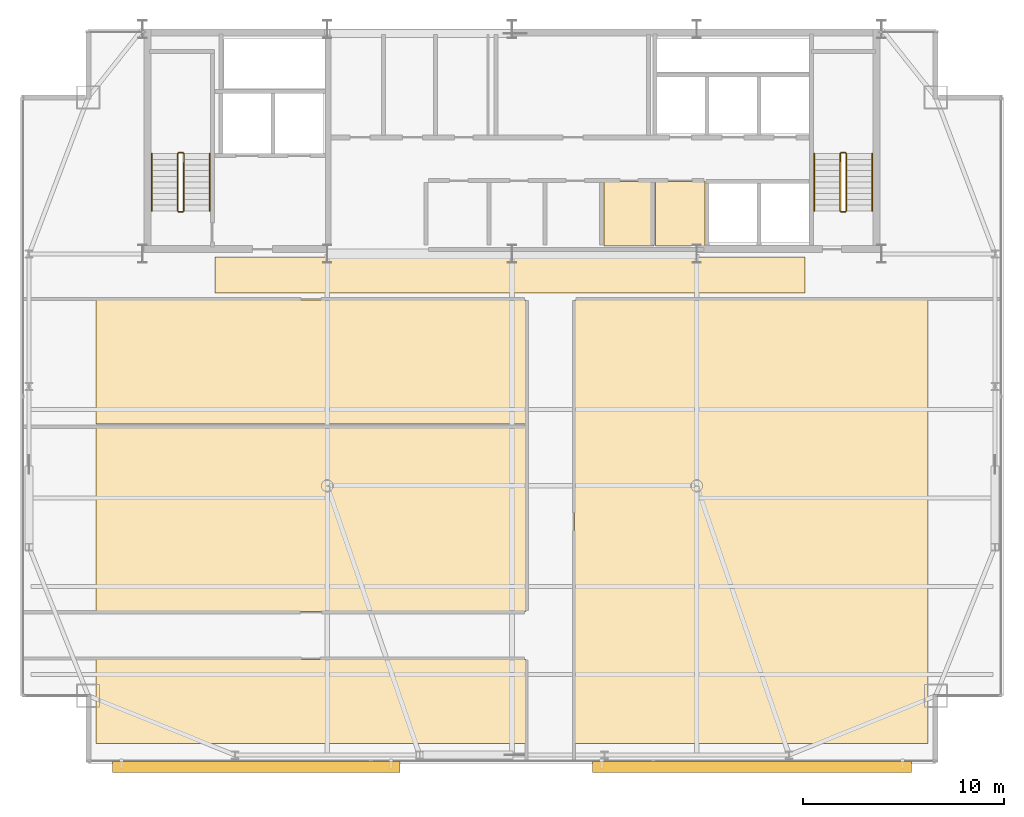
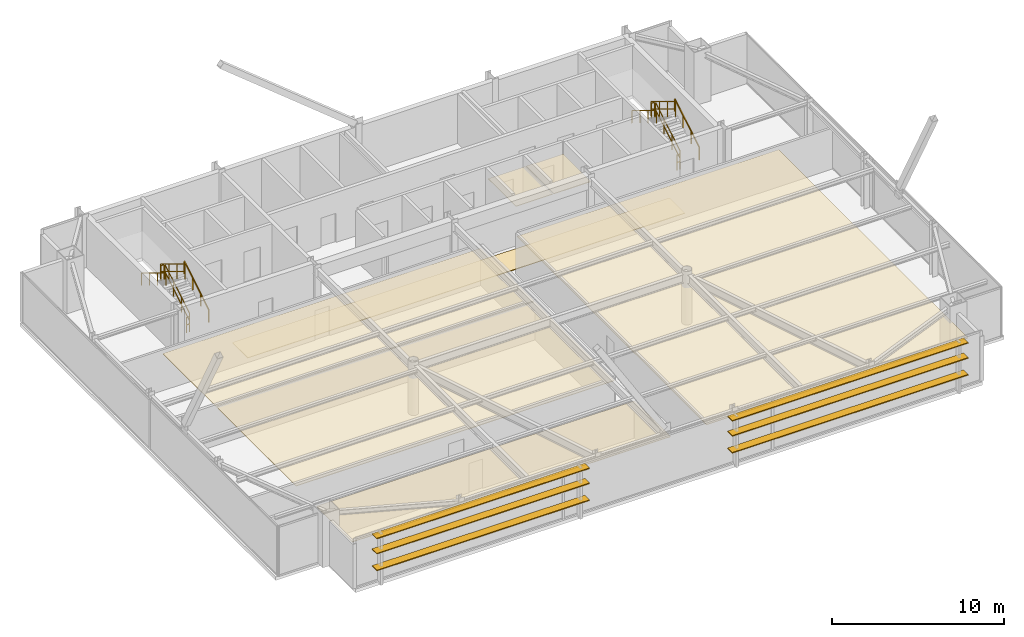
# One storey, part 27 of 27: 12 railings, 7 coverings, 6 shading devices.
"""IFC4 building model written with IfcOpenShell, lengths in metres."""

from ifc_helpers import new_model, si_unit, direction, frame, origin, origin_2d, place, context, subcontext, project, spatial, polyline, rectangle, outline, extrude, source, transform, mapped, material, layer, layer_set, type_object, type_shapes, element, save


model = new_model("IFC4")

# Units and contexts
model_context = context("Model", 3, precision=1e-05, world=origin(), true_north=direction((0.0, 1.0)))
body_context = subcontext(model_context, "Body", "Model", "MODEL_VIEW")
ifc_project = project(units=[si_unit("LENGTHUNIT", "METRE"), si_unit("AREAUNIT", "SQUARE_METRE"), si_unit("VOLUMEUNIT", "CUBIC_METRE"), si_unit("PLANEANGLEUNIT", "RADIAN"), si_unit("MASSUNIT", "GRAM", prefix="KILO")], contexts=[model_context])

# Site, building, storey
site_placement = place(None, origin())
site = spatial("IfcSite", under=ifc_project, at=site_placement, CompositionType="ELEMENT")
building_placement = place(site_placement, origin())
building = spatial("IfcBuilding", under=site, at=building_placement, Name="Varnel Quay Broadcast Tower", CompositionType="ELEMENT")
storey_placement = place(building_placement, frame((0.0, 0.0, 243.199951171875)))
storey = spatial("IfcBuildingStorey", under=building, at=storey_placement, Name="L60", CompositionType="ELEMENT", Elevation=243.199951171875)

# Coverings
ifc_material_1 = material(Name="Micro-Perforated Acoustic Ceiling Tile")
ifc_layer_1 = layer(ifc_material_1, 0.0400390625, Name="Micro-Perforated Acoustic Ceiling Tile")
ifc_layer_set_1 = layer_set([ifc_layer_1], Name="Micro-Perforated Acoustic Ceiling Tile")
covering_type_1 = type_object("IfcCoveringType", Name="Cov_AcousticCeiling", PredefinedType="CEILING", material=ifc_layer_set_1)
covering_1_placement = place(storey_placement, frame((0.0, 0.0, 2.580078125)))
element("IfcCovering", 1, at=covering_1_placement, inside=storey, type_object=covering_type_1, Name="L60 Cleaners' & Linen Store Acoustic Ceiling", PredefinedType="CEILING", context=body_context, shape_type="SweptSolid", body=[
    extrude(outline(polyline([(38.5849609375, 35.985107421875), (41.06494140625, 35.985107421875), (41.06494140625, 39.215087890625), (38.5849609375, 39.215087890625), (38.5849609375, 35.985107421875)])), origin(), (0.0, 0.0, 1.0), 0.0400390625),
])
covering_2_placement = place(storey_placement, frame((0.0, 0.0, 2.580078125)))
element("IfcCovering", 2, at=covering_2_placement, inside=storey, type_object=covering_type_1, Name="L60 Telecom IDF Closet Acoustic Ceiling", PredefinedType="CEILING", context=body_context, shape_type="SweptSolid", body=[
    extrude(outline(polyline([(41.135009765625, 35.985107421875), (43.614990234375, 35.985107421875), (43.614990234375, 39.215087890625), (41.135009765625, 39.215087890625), (41.135009765625, 35.985107421875)])), origin(), (0.0, 0.0, 1.0), 0.0400390625),
])
covering_3_placement = place(storey_placement, frame((0.0, 0.0, 2.580078125)))
element("IfcCovering", 3, at=covering_3_placement, inside=storey, type_object=covering_type_1, Name="L60 Color Timing Suite 1 Acoustic Ceiling", PredefinedType="CEILING", context=body_context, shape_type="SweptSolid", body=[
    extrude(outline(polyline([(13.284912109375, 11.22509765625), (34.695068359375, 11.22509765625), (34.695068359375, 15.4150390625), (13.284912109375, 15.4150390625), (13.284912109375, 11.22509765625)])), origin(), (0.0, 0.0, 1.0), 0.0400390625),
])
covering_4_placement = place(storey_placement, frame((0.0, 0.0, 2.580078125)))
element("IfcCovering", 4, at=covering_4_placement, inside=storey, type_object=covering_type_1, Name="L60 Screening Meeting Room 2 Acoustic Ceiling", PredefinedType="CEILING", context=body_context, shape_type="SweptSolid", body=[
    extrude(outline(polyline([(13.284912109375, 17.784912109375), (34.695068359375, 17.784912109375), (34.695068359375, 27.054931640625), (13.284912109375, 27.054931640625), (13.284912109375, 17.784912109375)])), origin(), (0.0, 0.0, 1.0), 0.0400390625),
])
covering_5_placement = place(storey_placement, frame((0.0, 0.0, 2.580078125)))
element("IfcCovering", 5, at=covering_5_placement, inside=storey, type_object=covering_type_1, Name="L60 Producer Lounge 3 Acoustic Ceiling", PredefinedType="CEILING", context=body_context, shape_type="SweptSolid", body=[
    extrude(outline(polyline([(13.284912109375, 27.125), (34.695068359375, 27.125), (34.695068359375, 33.31494140625), (13.284912109375, 33.31494140625), (13.284912109375, 27.125)])), origin(), (0.0, 0.0, 1.0), 0.0400390625),
])
covering_6_placement = place(storey_placement, frame((0.0, 0.0, 2.580078125)))
element("IfcCovering", 6, at=covering_6_placement, inside=storey, type_object=covering_type_1, Name="L60 Tea Kitchen 4 Acoustic Ceiling", PredefinedType="CEILING", context=body_context, shape_type="SweptSolid", body=[
    extrude(outline(polyline([(37.114990234375, 11.22509765625), (54.715087890625, 11.22509765625), (54.715087890625, 33.31494140625), (37.114990234375, 33.31494140625), (37.114990234375, 11.22509765625)])), origin(), (0.0, 0.0, 1.0), 0.0400390625),
])
ifc_material_2 = material(Name="Polished Terrazzo & Broadcast Raised Flooring")
ifc_layer_2 = layer(ifc_material_2, 0.0400390625, Name="Polished Terrazzo & Broadcast Raised Flooring")
ifc_layer_set_2 = layer_set([ifc_layer_2], Name="Polished Terrazzo & Broadcast Raised Flooring")
covering_type_2 = type_object("IfcCoveringType", Name="Cov_TerrazzoFloor", PredefinedType="FLOORING", material=ifc_layer_set_2)
covering_7_placement = place(storey_placement, origin())
element("IfcCovering", 7, at=covering_7_placement, inside=storey, type_object=covering_type_2, Name="L60 Corridor Terrazzo Flooring", PredefinedType="FLOORING", context=body_context, shape_type="SweptSolid", body=[
    extrude(outline(polyline([(19.199951171875, 33.64990234375), (48.60009765625, 33.64990234375), (48.60009765625, 35.449951171875), (19.199951171875, 35.449951171875), (19.199951171875, 33.64990234375)])), origin(), (0.0, 0.0, 1.0), 0.0400390625),
])

# Railings
ifc_material_3 = material(Name="Painted Steel Guard and Handrail CSA G40.21 350W", Category="steel")
railing_type_1 = type_object("IfcRailingType", Name="Rail_StairGuard1100", PredefinedType="GUARDRAIL", material=ifc_material_3)
railing_1_placement = place(storey_placement, frame((17.64990234375, 37.75, 0.1728515625)))
element("IfcRailing", 8, at=railing_1_placement, inside=storey, type_object=railing_type_1, Name="L60 ST-01 stair guard 1", PredefinedType="GUARDRAIL", context=body_context, shape_type="SweptSolid", body=[
    extrude(rectangle(XDim=0.048095703125, YDim=0.048095703125, at=origin_2d()), frame((0.0, 0.0, 1.076171875), z_axis=(0.0, 0.855202751398, 0.518293598264), x_axis=(-1.0, 0.0, 0.0)), (0.0, 0.0, 1.0), 3.332763671875),
    extrude(rectangle(XDim=0.048095703125, YDim=0.048095703125, at=origin_2d()), frame((0.0, 0.0, 0.550048828125), z_axis=(0.0, 0.855202751398, 0.518293598264), x_axis=(-1.0, 0.0, 0.0)), (0.0, 0.0, 1.0), 3.332763671875),
    extrude(rectangle(XDim=0.0419921875, YDim=0.0419921875, at=origin_2d()), origin(), (0.0, 0.0, 1.0), 1.052001953125),
    extrude(rectangle(XDim=0.0419921875, YDim=0.0419921875, at=origin_2d()), frame((0.0, 0.949951171875, 0.57568359375)), (0.0, 0.0, 1.0), 1.052001953125),
    extrude(rectangle(XDim=0.0419921875, YDim=0.0419921875, at=origin_2d()), frame((0.0, 1.900146484375, 1.151611328125)), (0.0, 0.0, 1.0), 1.052001953125),
    extrude(rectangle(XDim=0.0419921875, YDim=0.0419921875, at=origin_2d()), frame((0.0, 2.85009765625, 1.727294921875)), (0.0, 0.0, 1.0), 1.052001953125),
])
railing_2_placement = place(storey_placement, frame((17.60009765625, 40.64990234375, 1.900146484375)))
element("IfcRailing", 9, at=railing_2_placement, inside=storey, type_object=railing_type_1, Name="L60 ST-01 stair guard 2", PredefinedType="GUARDRAIL", context=body_context, shape_type="SweptSolid", body=[
    extrude(rectangle(XDim=0.048095703125, YDim=0.048095703125, at=origin_2d()), frame((0.0, 0.0, 1.076171875), z_axis=(-1.0, 0.0, 0.0), x_axis=(0.0, -1.0, 0.0)), (0.0, 0.0, 1.0), 0.2001953125),
    extrude(rectangle(XDim=0.048095703125, YDim=0.048095703125, at=origin_2d()), frame((0.0, 0.0, 0.550048828125), z_axis=(-1.0, 0.0, 0.0), x_axis=(0.0, -1.0, 0.0)), (0.0, 0.0, 1.0), 0.2001953125),
    extrude(rectangle(XDim=0.0419921875, YDim=0.0419921875, at=origin_2d()), origin(), (0.0, 0.0, 1.0), 1.052001953125),
    extrude(rectangle(XDim=0.0419921875, YDim=0.0419921875, at=origin_2d()), frame((-0.2001953125, 0.0, 0.0)), (0.0, 0.0, 1.0), 1.052001953125),
])
railing_3_placement = place(storey_placement, frame((17.35009765625, 40.60009765625, 2.07275390625)))
element("IfcRailing", 10, at=railing_3_placement, inside=storey, type_object=railing_type_1, Name="L60 ST-01 stair guard 3", PredefinedType="GUARDRAIL", context=body_context, shape_type="SweptSolid", body=[
    extrude(rectangle(XDim=0.048095703125, YDim=0.048095703125, at=origin_2d()), frame((0.0, 0.0, 1.076171875), z_axis=(0.0, -0.855202751398, 0.518293598264), x_axis=(1.0, 0.0, 0.0)), (0.0, 0.0, 1.0), 3.332763671875),
    extrude(rectangle(XDim=0.048095703125, YDim=0.048095703125, at=origin_2d()), frame((0.0, 0.0, 0.550048828125), z_axis=(0.0, -0.855202751398, 0.518293598264), x_axis=(1.0, 0.0, 0.0)), (0.0, 0.0, 1.0), 3.332763671875),
    extrude(rectangle(XDim=0.0419921875, YDim=0.0419921875, at=origin_2d()), origin(), (0.0, 0.0, 1.0), 1.052001953125),
    extrude(rectangle(XDim=0.0419921875, YDim=0.0419921875, at=origin_2d()), frame((0.0, -0.949951171875, 0.57568359375)), (0.0, 0.0, 1.0), 1.052001953125),
    extrude(rectangle(XDim=0.0419921875, YDim=0.0419921875, at=origin_2d()), frame((0.0, -1.900146484375, 1.151611328125)), (0.0, 0.0, 1.0), 1.052001953125),
    extrude(rectangle(XDim=0.0419921875, YDim=0.0419921875, at=origin_2d()), frame((0.0, -2.85009765625, 1.727294921875)), (0.0, 0.0, 1.0), 1.052001953125),
])
railing_4_placement = place(storey_placement, frame((17.60009765625, 37.699951171875, 0.0)))
element("IfcRailing", 11, at=railing_4_placement, inside=storey, type_object=railing_type_1, Name="L60 ST-01 stair guard 4", PredefinedType="GUARDRAIL", context=body_context, shape_type="SweptSolid", body=[
    extrude(rectangle(XDim=0.048095703125, YDim=0.048095703125, at=origin_2d()), frame((0.0, 0.0, 1.076171875), z_axis=(-1.0, 0.0, 0.0), x_axis=(0.0, -1.0, 0.0)), (0.0, 0.0, 1.0), 0.2001953125),
    extrude(rectangle(XDim=0.048095703125, YDim=0.048095703125, at=origin_2d()), frame((0.0, 0.0, 0.550048828125), z_axis=(-1.0, 0.0, 0.0), x_axis=(0.0, -1.0, 0.0)), (0.0, 0.0, 1.0), 0.2001953125),
    extrude(rectangle(XDim=0.0419921875, YDim=0.0419921875, at=origin_2d()), origin(), (0.0, 0.0, 1.0), 1.052001953125),
    extrude(rectangle(XDim=0.0419921875, YDim=0.0419921875, at=origin_2d()), frame((-0.2001953125, 0.0, 0.0)), (0.0, 0.0, 1.0), 1.052001953125),
])
railing_5_placement = place(storey_placement, frame((50.64990234375, 37.75, 0.1728515625)))
element("IfcRailing", 12, at=railing_5_placement, inside=storey, type_object=railing_type_1, Name="L60 ST-02 stair guard 1", PredefinedType="GUARDRAIL", context=body_context, shape_type="SweptSolid", body=[
    extrude(rectangle(XDim=0.048095703125, YDim=0.048095703125, at=origin_2d()), frame((0.0, 0.0, 1.076171875), z_axis=(0.0, 0.855202751398, 0.518293598264), x_axis=(-1.0, 0.0, 0.0)), (0.0, 0.0, 1.0), 3.332763671875),
    extrude(rectangle(XDim=0.048095703125, YDim=0.048095703125, at=origin_2d()), frame((0.0, 0.0, 0.550048828125), z_axis=(0.0, 0.855202751398, 0.518293598264), x_axis=(-1.0, 0.0, 0.0)), (0.0, 0.0, 1.0), 3.332763671875),
    extrude(rectangle(XDim=0.0419921875, YDim=0.0419921875, at=origin_2d()), origin(), (0.0, 0.0, 1.0), 1.052001953125),
    extrude(rectangle(XDim=0.0419921875, YDim=0.0419921875, at=origin_2d()), frame((0.0, 0.949951171875, 0.57568359375)), (0.0, 0.0, 1.0), 1.052001953125),
    extrude(rectangle(XDim=0.0419921875, YDim=0.0419921875, at=origin_2d()), frame((0.0, 1.900146484375, 1.151611328125)), (0.0, 0.0, 1.0), 1.052001953125),
    extrude(rectangle(XDim=0.0419921875, YDim=0.0419921875, at=origin_2d()), frame((0.0, 2.85009765625, 1.727294921875)), (0.0, 0.0, 1.0), 1.052001953125),
])
railing_6_placement = place(storey_placement, frame((50.60009765625, 40.64990234375, 1.900146484375)))
element("IfcRailing", 13, at=railing_6_placement, inside=storey, type_object=railing_type_1, Name="L60 ST-02 stair guard 2", PredefinedType="GUARDRAIL", context=body_context, shape_type="SweptSolid", body=[
    extrude(rectangle(XDim=0.048095703125, YDim=0.048095703125, at=origin_2d()), frame((0.0, 0.0, 1.076171875), z_axis=(-1.0, 0.0, 0.0), x_axis=(0.0, -1.0, 0.0)), (0.0, 0.0, 1.0), 0.2001953125),
    extrude(rectangle(XDim=0.048095703125, YDim=0.048095703125, at=origin_2d()), frame((0.0, 0.0, 0.550048828125), z_axis=(-1.0, 0.0, 0.0), x_axis=(0.0, -1.0, 0.0)), (0.0, 0.0, 1.0), 0.2001953125),
    extrude(rectangle(XDim=0.0419921875, YDim=0.0419921875, at=origin_2d()), origin(), (0.0, 0.0, 1.0), 1.052001953125),
    extrude(rectangle(XDim=0.0419921875, YDim=0.0419921875, at=origin_2d()), frame((-0.2001953125, 0.0, 0.0)), (0.0, 0.0, 1.0), 1.052001953125),
])
railing_7_placement = place(storey_placement, frame((50.35009765625, 40.60009765625, 2.07275390625)))
element("IfcRailing", 14, at=railing_7_placement, inside=storey, type_object=railing_type_1, Name="L60 ST-02 stair guard 3", PredefinedType="GUARDRAIL", context=body_context, shape_type="SweptSolid", body=[
    extrude(rectangle(XDim=0.048095703125, YDim=0.048095703125, at=origin_2d()), frame((0.0, 0.0, 1.076171875), z_axis=(0.0, -0.855202751398, 0.518293598264), x_axis=(1.0, 0.0, 0.0)), (0.0, 0.0, 1.0), 3.332763671875),
    extrude(rectangle(XDim=0.048095703125, YDim=0.048095703125, at=origin_2d()), frame((0.0, 0.0, 0.550048828125), z_axis=(0.0, -0.855202751398, 0.518293598264), x_axis=(1.0, 0.0, 0.0)), (0.0, 0.0, 1.0), 3.332763671875),
    extrude(rectangle(XDim=0.0419921875, YDim=0.0419921875, at=origin_2d()), origin(), (0.0, 0.0, 1.0), 1.052001953125),
    extrude(rectangle(XDim=0.0419921875, YDim=0.0419921875, at=origin_2d()), frame((0.0, -0.949951171875, 0.57568359375)), (0.0, 0.0, 1.0), 1.052001953125),
    extrude(rectangle(XDim=0.0419921875, YDim=0.0419921875, at=origin_2d()), frame((0.0, -1.900146484375, 1.151611328125)), (0.0, 0.0, 1.0), 1.052001953125),
    extrude(rectangle(XDim=0.0419921875, YDim=0.0419921875, at=origin_2d()), frame((0.0, -2.85009765625, 1.727294921875)), (0.0, 0.0, 1.0), 1.052001953125),
])
railing_8_placement = place(storey_placement, frame((50.60009765625, 37.699951171875, 0.0)))
element("IfcRailing", 15, at=railing_8_placement, inside=storey, type_object=railing_type_1, Name="L60 ST-02 stair guard 4", PredefinedType="GUARDRAIL", context=body_context, shape_type="SweptSolid", body=[
    extrude(rectangle(XDim=0.048095703125, YDim=0.048095703125, at=origin_2d()), frame((0.0, 0.0, 1.076171875), z_axis=(-1.0, 0.0, 0.0), x_axis=(0.0, -1.0, 0.0)), (0.0, 0.0, 1.0), 0.2001953125),
    extrude(rectangle(XDim=0.048095703125, YDim=0.048095703125, at=origin_2d()), frame((0.0, 0.0, 0.550048828125), z_axis=(-1.0, 0.0, 0.0), x_axis=(0.0, -1.0, 0.0)), (0.0, 0.0, 1.0), 0.2001953125),
    extrude(rectangle(XDim=0.0419921875, YDim=0.0419921875, at=origin_2d()), origin(), (0.0, 0.0, 1.0), 1.052001953125),
    extrude(rectangle(XDim=0.0419921875, YDim=0.0419921875, at=origin_2d()), frame((-0.2001953125, 0.0, 0.0)), (0.0, 0.0, 1.0), 1.052001953125),
])
railing_type_2 = type_object("IfcRailingType", Name="Rail_StairHandrail900", PredefinedType="HANDRAIL", material=ifc_material_3)
railing_9_placement = place(storey_placement, frame((18.949951171875, 37.75, 0.1728515625)))
element("IfcRailing", 16, at=railing_9_placement, inside=storey, type_object=railing_type_2, Name="L60 ST-01 stair handrail 1", PredefinedType="HANDRAIL", context=body_context, shape_type="SweptSolid", body=[
    extrude(rectangle(XDim=0.048095703125, YDim=0.048095703125, at=origin_2d()), frame((0.0, 0.0, 0.8759765625), z_axis=(0.0, 0.855202751398, 0.518293598264), x_axis=(-1.0, 0.0, 0.0)), (0.0, 0.0, 1.0), 3.332763671875),
    extrude(rectangle(XDim=0.0419921875, YDim=0.0419921875, at=origin_2d()), origin(), (0.0, 0.0, 1.0), 0.851806640625),
    extrude(rectangle(XDim=0.0419921875, YDim=0.0419921875, at=origin_2d()), frame((0.0, 0.949951171875, 0.57568359375)), (0.0, 0.0, 1.0), 0.851806640625),
    extrude(rectangle(XDim=0.0419921875, YDim=0.0419921875, at=origin_2d()), frame((0.0, 1.900146484375, 1.151611328125)), (0.0, 0.0, 1.0), 0.851806640625),
    extrude(rectangle(XDim=0.0419921875, YDim=0.0419921875, at=origin_2d()), frame((0.0, 2.85009765625, 1.727294921875)), (0.0, 0.0, 1.0), 0.851806640625),
])
railing_10_placement = place(storey_placement, frame((16.050048828125, 40.60009765625, 2.07275390625)))
element("IfcRailing", 17, at=railing_10_placement, inside=storey, type_object=railing_type_2, Name="L60 ST-01 stair handrail 2", PredefinedType="HANDRAIL", context=body_context, shape_type="SweptSolid", body=[
    extrude(rectangle(XDim=0.048095703125, YDim=0.048095703125, at=origin_2d()), frame((0.0, 0.0, 0.8759765625), z_axis=(0.0, -0.855202751398, 0.518293598264), x_axis=(1.0, 0.0, 0.0)), (0.0, 0.0, 1.0), 3.332763671875),
    extrude(rectangle(XDim=0.0419921875, YDim=0.0419921875, at=origin_2d()), origin(), (0.0, 0.0, 1.0), 0.851806640625),
    extrude(rectangle(XDim=0.0419921875, YDim=0.0419921875, at=origin_2d()), frame((0.0, -0.949951171875, 0.57568359375)), (0.0, 0.0, 1.0), 0.851806640625),
    extrude(rectangle(XDim=0.0419921875, YDim=0.0419921875, at=origin_2d()), frame((0.0, -1.900146484375, 1.151611328125)), (0.0, 0.0, 1.0), 0.851806640625),
    extrude(rectangle(XDim=0.0419921875, YDim=0.0419921875, at=origin_2d()), frame((0.0, -2.85009765625, 1.727294921875)), (0.0, 0.0, 1.0), 0.851806640625),
])
railing_11_placement = place(storey_placement, frame((51.949951171875, 37.75, 0.1728515625)))
element("IfcRailing", 18, at=railing_11_placement, inside=storey, type_object=railing_type_2, Name="L60 ST-02 stair handrail 1", PredefinedType="HANDRAIL", context=body_context, shape_type="SweptSolid", body=[
    extrude(rectangle(XDim=0.048095703125, YDim=0.048095703125, at=origin_2d()), frame((0.0, 0.0, 0.8759765625), z_axis=(0.0, 0.855202751398, 0.518293598264), x_axis=(-1.0, 0.0, 0.0)), (0.0, 0.0, 1.0), 3.332763671875),
    extrude(rectangle(XDim=0.0419921875, YDim=0.0419921875, at=origin_2d()), origin(), (0.0, 0.0, 1.0), 0.851806640625),
    extrude(rectangle(XDim=0.0419921875, YDim=0.0419921875, at=origin_2d()), frame((0.0, 0.949951171875, 0.57568359375)), (0.0, 0.0, 1.0), 0.851806640625),
    extrude(rectangle(XDim=0.0419921875, YDim=0.0419921875, at=origin_2d()), frame((0.0, 1.900146484375, 1.151611328125)), (0.0, 0.0, 1.0), 0.851806640625),
    extrude(rectangle(XDim=0.0419921875, YDim=0.0419921875, at=origin_2d()), frame((0.0, 2.85009765625, 1.727294921875)), (0.0, 0.0, 1.0), 0.851806640625),
])
railing_12_placement = place(storey_placement, frame((49.050048828125, 40.60009765625, 2.07275390625)))
element("IfcRailing", 19, at=railing_12_placement, inside=storey, type_object=railing_type_2, Name="L60 ST-02 stair handrail 2", PredefinedType="HANDRAIL", context=body_context, shape_type="SweptSolid", body=[
    extrude(rectangle(XDim=0.048095703125, YDim=0.048095703125, at=origin_2d()), frame((0.0, 0.0, 0.8759765625), z_axis=(0.0, -0.855202751398, 0.518293598264), x_axis=(1.0, 0.0, 0.0)), (0.0, 0.0, 1.0), 3.332763671875),
    extrude(rectangle(XDim=0.0419921875, YDim=0.0419921875, at=origin_2d()), origin(), (0.0, 0.0, 1.0), 0.851806640625),
    extrude(rectangle(XDim=0.0419921875, YDim=0.0419921875, at=origin_2d()), frame((0.0, -0.949951171875, 0.57568359375)), (0.0, 0.0, 1.0), 0.851806640625),
    extrude(rectangle(XDim=0.0419921875, YDim=0.0419921875, at=origin_2d()), frame((0.0, -1.900146484375, 1.151611328125)), (0.0, 0.0, 1.0), 0.851806640625),
    extrude(rectangle(XDim=0.0419921875, YDim=0.0419921875, at=origin_2d()), frame((0.0, -2.85009765625, 1.727294921875)), (0.0, 0.0, 1.0), 0.851806640625),
])

# Shading devices
ifc_material_4 = material(Name="Bronze-Terracotta Extruded Ceramic Blade", Category="masonry")
ifc_layer_3 = layer(ifc_material_4, 0.06494140625, Name="Bronze-Terracotta Extruded Ceramic Blade")
ifc_layer_set_3 = layer_set([ifc_layer_3], Name="Bronze-Terracotta Extruded Ceramic Blade")
shading_device_type = type_object("IfcShadingDeviceType", Name="Shade_LouvreBlade550", PredefinedType="JALOUSIE", material=ifc_layer_set_3)
shared_shape_1 = source(origin(), body_context, "Body", "SweptSolid", [
    extrude(rectangle(XDim=15.87890625, YDim=0.550048828125, at=origin_2d()), origin(), (0.0, 0.0, 1.0), 0.06494140625),
])
for number, where, z_axis, x_axis, name in (
    (20, (45.9599609375, 10.06005859375, 1.11767578125), (0.0, 0.0, 1.0), (1.0, 0.0, 0.0), "L60 Lobe 2 Horizontal Louvre Blade 1"),
    (21, (45.9599609375, 10.06005859375, 2.317626953125), (0.0, 0.0, 1.0), (1.0, 0.0, 0.0), "L60 Lobe 2 Horizontal Louvre Blade 2"),
    (22, (45.9599609375, 10.06005859375, 3.3876953125), (0.0, 0.0, 1.0), (1.0, 0.0, 0.0), "L60 Lobe 2 Horizontal Louvre Blade 3"),
):
    element("IfcShadingDevice", number, at=place(storey_placement, frame(where, z_axis=z_axis, x_axis=x_axis)), inside=storey, type_object=shading_device_type, Name=name, PredefinedType="JALOUSIE", context=body_context, shape_type="MappedRepresentation", body=[
        mapped(shared_shape_1, transform((0.0, 0.0, 0.0), x_axis=(1.0, 0.0, 0.0), y_axis=(0.0, 1.0, 0.0), z_axis=(0.0, 0.0, 1.0), scale=1.0)),
    ])
shared_shape_2 = source(origin(), body_context, "Body", "SweptSolid", [
    extrude(rectangle(XDim=14.321044921875, YDim=0.550048828125, at=origin_2d()), origin(), (0.0, 0.0, 1.0), 0.06494140625),
])
type_shapes(shading_device_type, [shared_shape_1, shared_shape_2])
for number, where, z_axis, x_axis, name in (
    (23, (21.260986328125, 10.06005859375, 1.11767578125), (0.0, 0.0, 1.0), (1.0, 0.0, 0.0), "L60 Lobe 1 Horizontal Louvre Blade 1"),
    (24, (21.260986328125, 10.06005859375, 2.317626953125), (0.0, 0.0, 1.0), (1.0, 0.0, 0.0), "L60 Lobe 1 Horizontal Louvre Blade 2"),
    (25, (21.260986328125, 10.06005859375, 3.3876953125), (0.0, 0.0, 1.0), (1.0, 0.0, 0.0), "L60 Lobe 1 Horizontal Louvre Blade 3"),
):
    element("IfcShadingDevice", number, at=place(storey_placement, frame(where, z_axis=z_axis, x_axis=x_axis)), inside=storey, type_object=shading_device_type, Name=name, PredefinedType="JALOUSIE", context=body_context, shape_type="MappedRepresentation", body=[
        mapped(shared_shape_2, transform((0.0, 0.0, 0.0), x_axis=(1.0, 0.0, 0.0), y_axis=(0.0, 1.0, 0.0), z_axis=(0.0, 0.0, 1.0), scale=1.0)),
    ])

save(model, "model.ifc")
